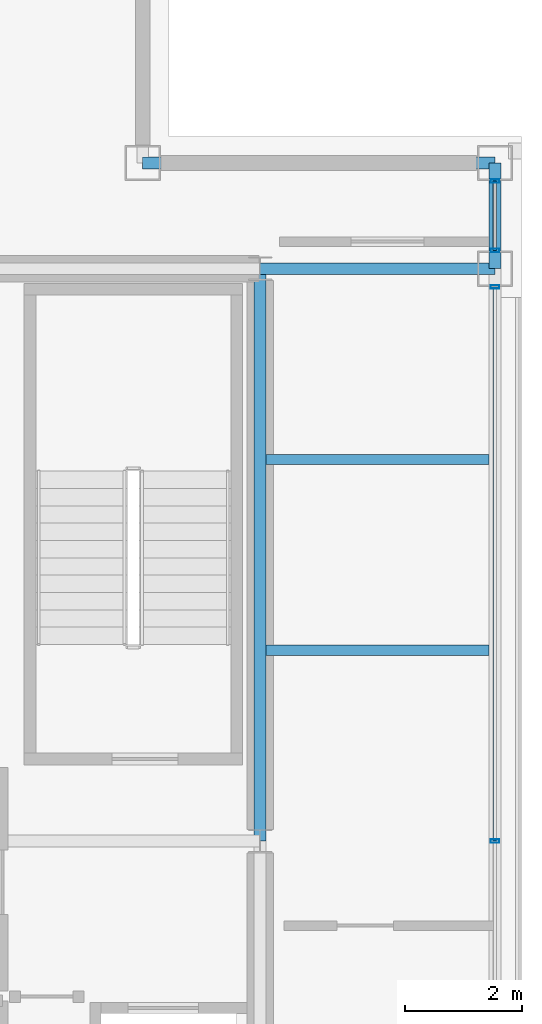
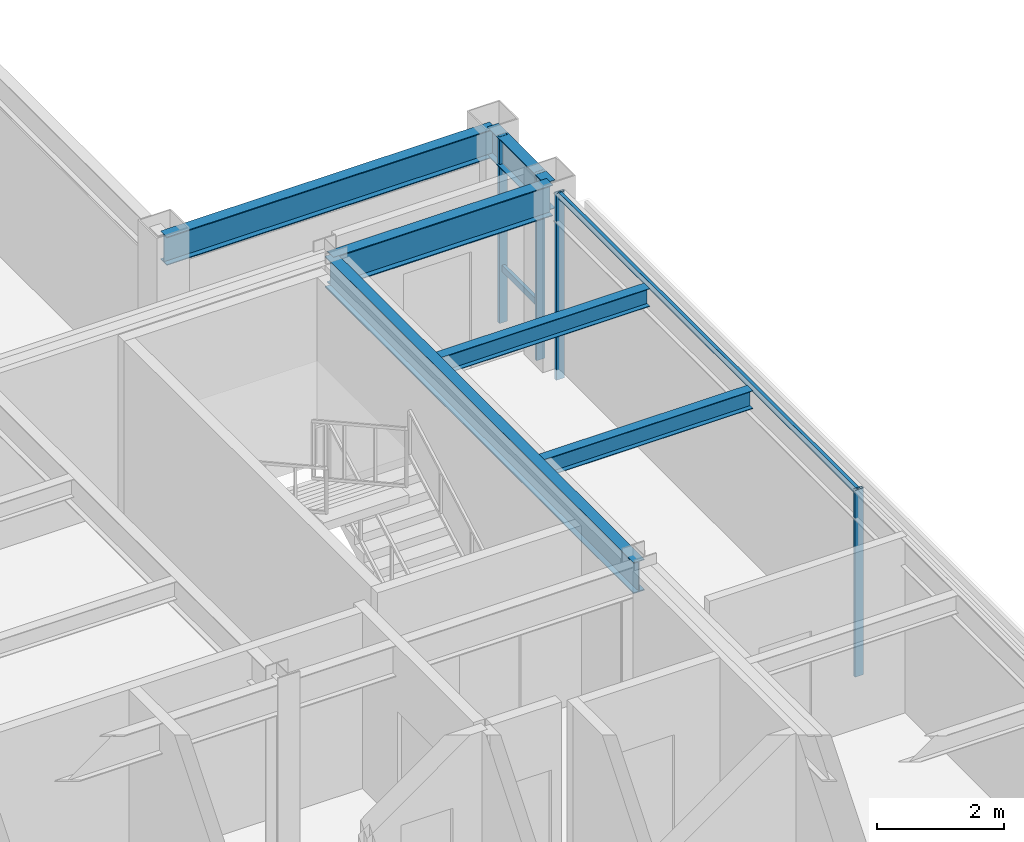
# One storey, part 12 of 20: 6 beams, 6 members, 2 elements without a shape of their own.
"""IFC4 building model written with IfcOpenShell, lengths in metres."""

from ifc_helpers import new_model, si_unit, direction, frame, origin, origin_2d, place, context, subcontext, project, spatial, hollow_rectangle, i_section, extrude, material, layer, layer_set, material_profile, profile_set, type_object, element, aggregate, save


model = new_model("IFC4")

# Units and contexts
model_context = context("Model", 3, precision=1e-05, world=origin(), true_north=direction((0.0, 1.0)))
body_context = subcontext(model_context, "Body", "Model", "MODEL_VIEW")
ifc_project = project(units=[si_unit("LENGTHUNIT", "METRE"), si_unit("AREAUNIT", "SQUARE_METRE"), si_unit("VOLUMEUNIT", "CUBIC_METRE"), si_unit("PLANEANGLEUNIT", "RADIAN"), si_unit("MASSUNIT", "GRAM", prefix="KILO")], contexts=[model_context])

# Site, building, storey
site_placement = place(None, origin())
site = spatial("IfcSite", under=ifc_project, at=site_placement, CompositionType="ELEMENT")
building_placement = place(site_placement, origin())
building = spatial("IfcBuilding", under=site, at=building_placement, Name="Brelmoor Portico Tower", CompositionType="ELEMENT")
storey_placement = place(building_placement, frame((0.0, 0.0, 272.39990234375)))
storey = spatial("IfcBuildingStorey", under=building, at=storey_placement, Name="L72", CompositionType="ELEMENT", Elevation=272.39990234375)

# Beams
ifc_material_1 = material(Name="Steel Q355B", Category="steel")
ifc_material_profile_1 = material_profile(ifc_material_1, i_section(OverallWidth=0.175048828125, OverallDepth=0.35009765625, WebThickness=0.007080078125, FlangeThickness=0.010986328125, at=origin_2d()), Name="HN 350x175x7x11")
ifc_profile_set_1 = profile_set([ifc_material_profile_1], Name="Steel Q355B")
beam_type_1 = type_object("IfcBeamType", Name="BM-JS-350", PredefinedType="JOIST", material=ifc_profile_set_1)
for number, where, z_axis, x_axis, name in (
    (1, (14.64990234375, 3.25, 3.22509765625), (1.0, 0.0, 0.0), (0.0, 1.0, 0.0), "L72 Secondary Wing Joist JS-E13"),
    (2, (14.64990234375, 6.5, 3.22509765625), (1.0, 0.0, 0.0), (0.0, 1.0, 0.0), "L72 Secondary Wing Joist JS-E14"),
):
    element("IfcBeam", number, at=place(storey_placement, frame(where, z_axis=z_axis, x_axis=x_axis)), inside=storey, type_object=beam_type_1, Name=name, PredefinedType="JOIST", context=body_context, shape_type="SweptSolid", body=[
        extrude(i_section(OverallWidth=0.175048828125, OverallDepth=0.35009765625, WebThickness=0.007080078125, FlangeThickness=0.010986328125, at=origin_2d()), origin(), (0.0, 0.0, 1.0), 3.800048828125),
    ])
ifc_material_profile_2 = material_profile(ifc_material_1, i_section(OverallWidth=0.199951171875, OverallDepth=0.60009765625, WebThickness=0.010986328125, FlangeThickness=0.01708984375, at=origin_2d()), Name="HN 600x200x11x17")
ifc_profile_set_2 = profile_set([ifc_material_profile_2], Name="Steel Q355B")
beam_type_2 = type_object("IfcBeamType", Name="BM-PG-600", PredefinedType="BEAM", material=ifc_profile_set_2)
beam_1_placement = place(storey_placement, frame((14.550048828125, 0.0, 3.10009765625), z_axis=(0.0, 1.0, 0.0), x_axis=(-1.0, 0.0, 0.0)))
element("IfcBeam", 3, at=beam_1_placement, inside=storey, type_object=beam_type_2, Name="L72 Primary Floor Girder PG-10", PredefinedType="BEAM", context=body_context, shape_type="SweptSolid", body=[
    extrude(i_section(OverallWidth=0.199951171875, OverallDepth=0.60009765625, WebThickness=0.010986328125, FlangeThickness=0.01708984375, at=origin_2d()), origin(), (0.0, 0.0, 1.0), 9.75),
])
beam_2_placement = place(storey_placement, frame((14.550048828125, 9.75, 3.10009765625), z_axis=(1.0, 0.0, 0.0), x_axis=(0.0, 1.0, 0.0)))
element("IfcBeam", 4, at=beam_2_placement, inside=storey, type_object=beam_type_2, Name="L72 Primary Floor Girder PG-23", PredefinedType="BEAM", context=body_context, shape_type="SweptSolid", body=[
    extrude(i_section(OverallWidth=0.199951171875, OverallDepth=0.60009765625, WebThickness=0.010986328125, FlangeThickness=0.01708984375, at=origin_2d()), origin(), (0.0, 0.0, 1.0), 4.0),
])
ifc_material_profile_3 = material_profile(ifc_material_1, i_section(OverallWidth=0.199951171875, OverallDepth=0.550048828125, WebThickness=0.010009765625, FlangeThickness=0.01611328125, at=origin_2d()), Name="HN 550x200x10x16")
ifc_profile_set_3 = profile_set([ifc_material_profile_3], Name="Steel Q355B")
beam_type_3 = type_object("IfcBeamType", Name="BM-SP-550", PredefinedType="SPANDREL", material=ifc_profile_set_3)
beam_3_placement = place(storey_placement, frame((12.550048828125, 11.550048828125, 3.125), z_axis=(1.0, 0.0, 0.0), x_axis=(0.0, 1.0, 0.0)))
element("IfcBeam", 5, at=beam_3_placement, inside=storey, type_object=beam_type_3, Name="L72 Perimeter Spandrel Beam SP-07", PredefinedType="SPANDREL", context=body_context, shape_type="SweptSolid", body=[
    extrude(i_section(OverallWidth=0.199951171875, OverallDepth=0.550048828125, WebThickness=0.010009765625, FlangeThickness=0.01611328125, at=origin_2d()), origin(), (0.0, 0.0, 1.0), 6.0),
])
beam_4_placement = place(storey_placement, frame((18.550048828125, 9.75, 3.125), z_axis=(0.0, 1.0, 0.0), x_axis=(-1.0, 0.0, 0.0)))
element("IfcBeam", 6, at=beam_4_placement, inside=storey, type_object=beam_type_3, Name="L72 Perimeter Spandrel Beam SP-20", PredefinedType="SPANDREL", context=body_context, shape_type="SweptSolid", body=[
    extrude(i_section(OverallWidth=0.199951171875, OverallDepth=0.550048828125, WebThickness=0.010009765625, FlangeThickness=0.01611328125, at=origin_2d()), origin(), (0.0, 0.0, 1.0), 1.800048828125),
])

# Curtain wall, members
ifc_material_2 = material(Name="Anodised Aluminium Alloy 6063-T6", Category="aluminium")
ifc_layer_1 = layer(ifc_material_2, 0.179931640625)
ifc_layer_set_1 = layer_set([ifc_layer_1], Name="Anodised Aluminium Alloy 6063-T6")
curtain_wall_type_1 = type_object("IfcCurtainWallType", Name="CW-TOWER-Z4-XB", PredefinedType="NOTDEFINED", material=ifc_layer_set_1)
curtain_wall_1_placement = place(storey_placement, origin())
curtain_wall_1 = element("IfcCurtainWall", 7, at=curtain_wall_1_placement, inside=storey, type_object=curtain_wall_type_1, Name="L72 Curtain Wall CW-L72-04-2", PredefinedType="NOTDEFINED")
ifc_material_profile_4 = material_profile(ifc_material_2, hollow_rectangle(XDim=0.06005859375, YDim=0.14990234375, WallThickness=0.00390625, at=origin_2d()), Name="ALU MULLION 60x150")
ifc_profile_set_4 = profile_set([ifc_material_profile_4], Name="Anodised Aluminium Alloy 6063-T6")
member_type_1 = type_object("IfcMemberType", Name="MB-CW-MULL-150", PredefinedType="MULLION", material=ifc_profile_set_4)
member_1_placement = place(storey_placement, frame((18.550048828125, 0.0, -0.199951171875), z_axis=(0.0, 0.0, 1.0), x_axis=(0.0, 1.0, 0.0)))
member_1 = element("IfcMember", 8, at=member_1_placement, type_object=member_type_1, Name="CW-L72-04-2 Mullion 01", PredefinedType="MULLION", context=body_context, shape_type="SweptSolid", body=[
    extrude(hollow_rectangle(XDim=0.06005859375, YDim=0.14990234375, WallThickness=0.00390625, at=origin_2d()), origin(), (0.0, 0.0, 1.0), 3.60009765625),
])
member_2_placement = place(storey_placement, frame((18.550048828125, 9.43994140625, -0.199951171875), z_axis=(0.0, 0.0, 1.0), x_axis=(0.0, 1.0, 0.0)))
member_2 = element("IfcMember", 9, at=member_2_placement, type_object=member_type_1, Name="CW-L72-04-2 Mullion 02", PredefinedType="MULLION", context=body_context, shape_type="SweptSolid", body=[
    extrude(hollow_rectangle(XDim=0.06005859375, YDim=0.14990234375, WallThickness=0.00390625, at=origin_2d()), origin(), (0.0, 0.0, 1.0), 3.60009765625),
])

ifc_layer_2 = layer(ifc_material_2, 0.179931640625)
ifc_layer_set_2 = layer_set([ifc_layer_2], Name="Anodised Aluminium Alloy 6063-T6")
curtain_wall_type_2 = type_object("IfcCurtainWallType", Name="CW-TOWER-Z4", PredefinedType="NOTDEFINED", material=ifc_layer_set_2)
curtain_wall_2_placement = place(storey_placement, origin())
curtain_wall_2 = element("IfcCurtainWall", 10, at=curtain_wall_2_placement, inside=storey, type_object=curtain_wall_type_2, Name="L72 Curtain Wall CW-L72-04-3", PredefinedType="NOTDEFINED")
member_3_placement = place(storey_placement, frame((18.550048828125, 10.06005859375, -0.199951171875), z_axis=(0.0, 0.0, 1.0), x_axis=(0.0, 1.0, 0.0)))
member_3 = element("IfcMember", 11, at=member_3_placement, type_object=member_type_1, Name="CW-L72-04-3 Mullion 00", PredefinedType="MULLION", context=body_context, shape_type="SweptSolid", body=[
    extrude(hollow_rectangle(XDim=0.06005859375, YDim=0.14990234375, WallThickness=0.00390625, at=origin_2d()), origin(), (0.0, 0.0, 1.0), 3.60009765625),
])
member_4_placement = place(storey_placement, frame((18.550048828125, 11.239990234375, -0.199951171875), z_axis=(0.0, 0.0, 1.0), x_axis=(0.0, 1.0, 0.0)))
member_4 = element("IfcMember", 12, at=member_4_placement, type_object=member_type_1, Name="CW-L72-04-3 Mullion 01", PredefinedType="MULLION", context=body_context, shape_type="SweptSolid", body=[
    extrude(hollow_rectangle(XDim=0.06005859375, YDim=0.14990234375, WallThickness=0.00390625, at=origin_2d()), origin(), (0.0, 0.0, 1.0), 3.60009765625),
])

# Member
ifc_material_profile_5 = material_profile(ifc_material_2, hollow_rectangle(XDim=0.06005859375, YDim=0.125, WallThickness=0.00341796875, at=origin_2d()), Name="ALU TRANSOM 60x125")
ifc_profile_set_5 = profile_set([ifc_material_profile_5], Name="Anodised Aluminium Alloy 6063-T6")
member_type_2 = type_object("IfcMemberType", Name="MB-CW-TRAN-125", PredefinedType="USERDEFINED", material=ifc_profile_set_5)
member_5_placement = place(storey_placement, frame((18.550048828125, 0.0, 3.337646484375), z_axis=(0.0, 1.0, 0.0), x_axis=(-1.0, 0.0, 0.0)))
member_5 = element("IfcMember", 13, at=member_5_placement, type_object=member_type_2, Name="CW-L72-04-2 Transom 1-01", ObjectType="TRANSOM", PredefinedType="USERDEFINED", context=body_context, shape_type="SweptSolid", body=[
    extrude(hollow_rectangle(XDim=0.06005859375, YDim=0.125, WallThickness=0.00341796875, at=origin_2d()), origin(), (0.0, 0.0, 1.0), 9.43994140625),
])

aggregate(curtain_wall_1, [member_1, member_2, member_5])

member_6_placement = place(storey_placement, frame((18.550048828125, 10.06005859375, 0.85009765625), z_axis=(0.0, 1.0, 0.0), x_axis=(-1.0, 0.0, 0.0)))
member_6 = element("IfcMember", 14, at=member_6_placement, type_object=member_type_2, Name="CW-L72-04-3 Transom 1-00", ObjectType="TRANSOM", PredefinedType="USERDEFINED", context=body_context, shape_type="SweptSolid", body=[
    extrude(hollow_rectangle(XDim=0.06005859375, YDim=0.125, WallThickness=0.00341796875, at=origin_2d()), origin(), (0.0, 0.0, 1.0), 1.179931640625),
])

aggregate(curtain_wall_2, [member_3, member_4, member_6])

save(model, "model.ifc")
